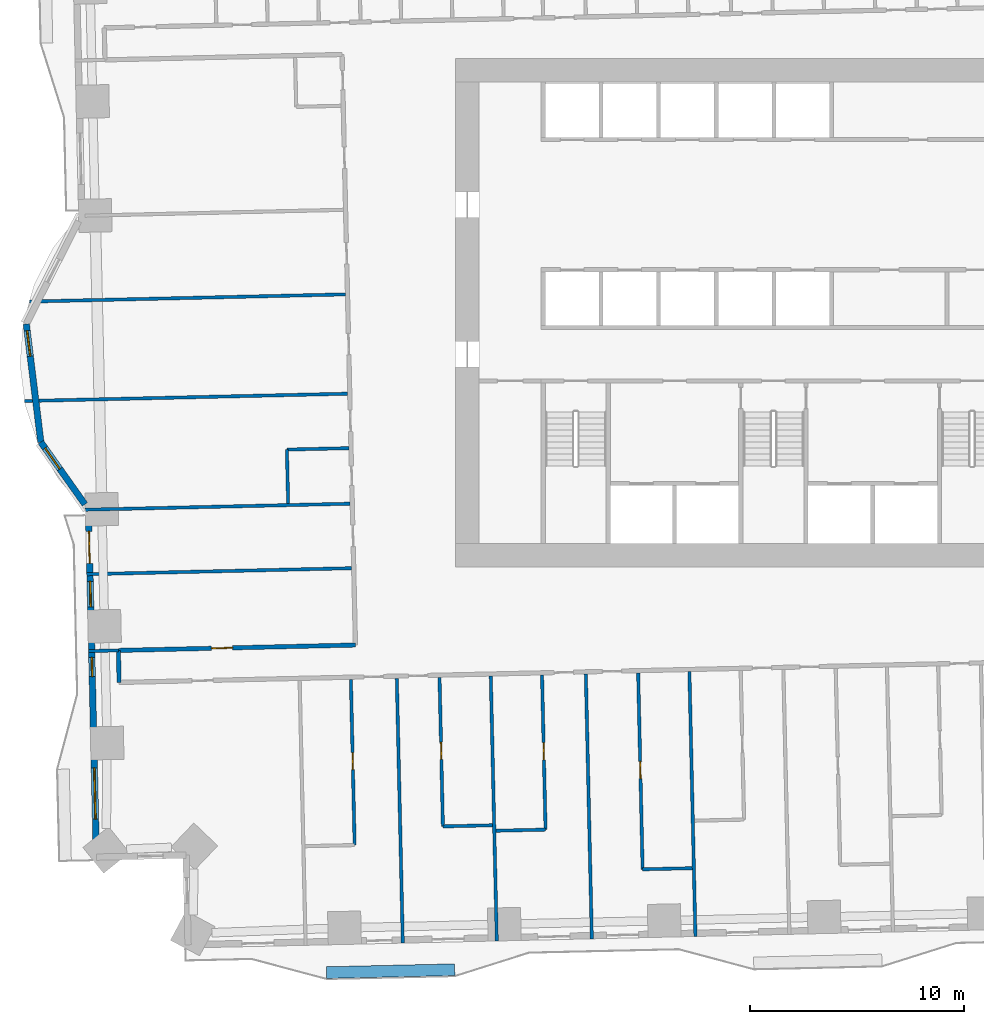
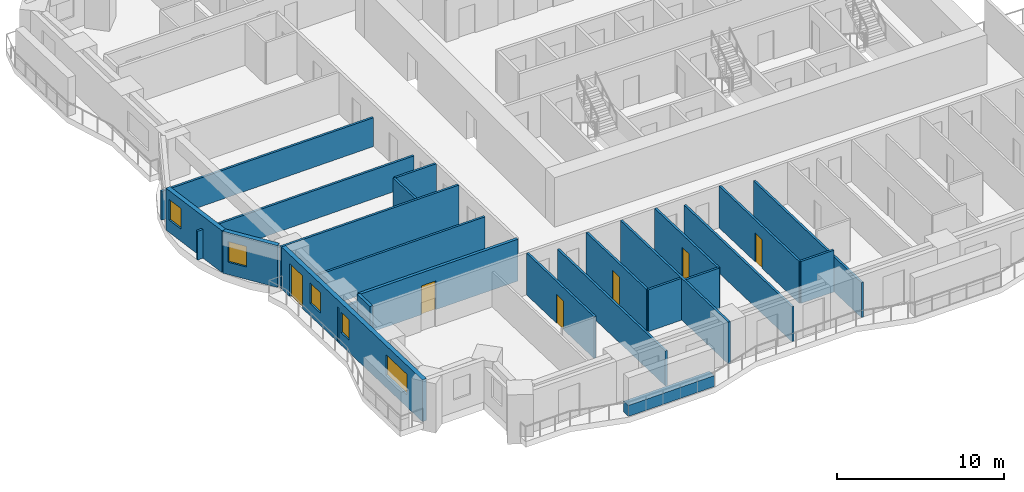
# One storey, part 5 of 16: 24 walls, 6 doors, 5 windows, 11 openings.
"""IFC4 building model written with IfcOpenShell, lengths in metres."""

from ifc_helpers import new_model, si_unit, direction, frame, frame_2d, origin, place, context, subcontext, project, spatial, rectangle, extrude, material, layer, layer_set, type_object, element, fill, save


model = new_model("IFC4")

# Units and contexts
model_context = context("Model", 3, precision=1e-05, world=origin(), true_north=direction((0.0, 1.0)))
body_context = subcontext(model_context, "Body", "Model", "MODEL_VIEW")
ifc_project = project(units=[si_unit("LENGTHUNIT", "METRE"), si_unit("AREAUNIT", "SQUARE_METRE"), si_unit("VOLUMEUNIT", "CUBIC_METRE"), si_unit("PLANEANGLEUNIT", "RADIAN"), si_unit("MASSUNIT", "GRAM", prefix="KILO")], contexts=[model_context])

# Site, building, storey
site_placement = place(None, origin())
site = spatial("IfcSite", under=ifc_project, at=site_placement, CompositionType="ELEMENT")
building_placement = place(site_placement, origin())
building = spatial("IfcBuilding", under=site, at=building_placement, Name="Mangrove Gate Tower", CompositionType="ELEMENT")
storey_placement = place(building_placement, frame((0.0, 0.0, 34.10009765625)))
storey = spatial("IfcBuildingStorey", under=building, at=storey_placement, Name="L07", CompositionType="ELEMENT", Elevation=34.10009765625)

# Wall
ifc_material_1 = material(Name="Gypsum board on steel stud, EI 60", Category="steel")
ifc_layer_1 = layer(ifc_material_1, 0.199951171875)
ifc_layer_set_1 = layer_set([ifc_layer_1], Name="Corridor wall EI 60")
wall_type_1 = type_object("IfcWallType", Name="Corridor wall EI 60", PredefinedType="PARTITIONING", material=ifc_layer_set_1)
wall_1_placement = place(storey_placement, frame((-30.652099609375, -17.31298828125, 0.0), z_axis=(0.0, 0.0, 1.0), x_axis=(-0.022632637625, 0.99974384905, 0.0)))
element("IfcWall", 1, at=wall_1_placement, inside=storey, type_object=wall_type_1, Name="WALL-L07-032", PredefinedType="PARTITIONING", context=body_context, shape_type="SweptSolid", body=[
    extrude(rectangle(XDim=1.49951171875, YDim=0.199951171875, at=frame_2d((0.749755859375, 0.0))), origin(), (0.0, 0.0, 1.0), 3.0498046875),
])

# Wall, opening, door
wall_2_placement = place(storey_placement, frame((-30.68603515625, -15.81396484375, 0.0), z_axis=(0.0, 0.0, 1.0), x_axis=(0.999742346277, 0.022698921993, 0.0)))
wall_2 = element("IfcWall", 2, at=wall_2_placement, inside=storey, type_object=wall_type_1, Name="WALL-L07-035", PredefinedType="PARTITIONING", context=body_context, shape_type="SweptSolid", body=[
    extrude(rectangle(XDim=11.099853515625, YDim=0.199951171875, at=frame_2d((5.5498046875, 0.0))), origin(), (0.0, 0.0, 1.0), 3.0498046875),
])
opening_1_placement = place(wall_2_placement, frame((4.35009765625, 0.0, 0.0)))
opening_1 = element("IfcOpeningElement", 3, at=opening_1_placement, cuts=wall_2, Name="Opening AD", PredefinedType="OPENING", context=body_context, shape_type="SweptSolid", body=[
    extrude(rectangle(XDim=1.0, YDim=2.10009765625, at=frame_2d((0.5, 1.050048828125))), frame((0.0, 0.10986328125, 0.0), z_axis=(0.0, -1.0, 0.0), x_axis=(1.0, 0.0, 0.0)), (0.0, 0.0, 1.0), 0.219970703125),
])
ifc_material_2 = material(Name="Timber door leaf", Category="wood")
door_type_1 = type_object("IfcDoorType", Name="Amenity door 1000", OperationType="SINGLE_SWING_LEFT", PredefinedType="DOOR", material=ifc_material_2)
door_1_placement = place(opening_1_placement, origin())
door_1 = element("IfcDoor", 4, at=door_1_placement, inside=storey, type_object=door_type_1, Name="DOOR-L07-KIT-c5b", OperationType="SINGLE_SWING_RIGHT", OverallHeight=2.10009765625, OverallWidth=1.0, PredefinedType="DOOR", context=body_context, shape_type="SweptSolid", body=[
    extrude(rectangle(XDim=1.0, YDim=2.10009765625, at=frame_2d((0.5, 1.050048828125))), frame((0.0, 0.02490234375, 0.0), z_axis=(0.0, -1.0, 0.0), x_axis=(1.0, 0.0, 0.0)), (0.0, 0.0, 1.0), 0.050048828125),
])
fill(opening_1, door_1)

# Wall, opening, window
ifc_material_3 = material(Name="Limestone", Category="masonry")
ifc_layer_2 = layer(ifc_material_3, 0.0400390625, Name="Limestone cladding")
ifc_material_4 = material(Name="Ventilated air gap")
ifc_layer_3 = layer(ifc_material_4, 0.0400390625, Name="Ventilated cavity")
ifc_material_5 = material(Name="Mineral wool insulation")
ifc_layer_4 = layer(ifc_material_5, 0.06005859375, Name="Insulation")
ifc_material_6 = material(Name="Breather membrane")
ifc_layer_5 = layer(ifc_material_6, 0.001953125, Name="Breather membrane")
ifc_material_7 = material(Name="Concrete C20/25 blockwork", Category="masonry")
ifc_layer_6 = layer(ifc_material_7, 0.14990234375, Name="Blockwork backing wall")
ifc_material_8 = material(Name="Gypsum plaster")
ifc_layer_7 = layer(ifc_material_8, 0.008056640625, Name="Internal plaster")
ifc_layer_set_2 = layer_set([ifc_layer_2, ifc_layer_3, ifc_layer_4, ifc_layer_5, ifc_layer_6, ifc_layer_7], Name="External wall 300 limestone cladding")
wall_type_2 = type_object("IfcWallType", Name="External wall 300 limestone cladding", PredefinedType="SOLIDWALL", material=ifc_layer_set_2)
wall_3_placement = place(storey_placement, frame((-34.99609375, -0.533935546875, 0.0), z_axis=(0.0, 0.0, 1.0), x_axis=(0.122206978992, -0.992504636909, 0.0)))
wall_3 = element("IfcWall", 5, at=wall_3_placement, inside=storey, type_object=wall_type_2, Name="WALL-L07-W9f2", PredefinedType="SOLIDWALL", context=body_context, shape_type="SweptSolid", body=[
    extrude(rectangle(XDim=5.57373046875, YDim=0.300048828125, at=frame_2d((2.786865234375, 0.0))), origin(), (0.0, 0.0, 1.0), 3.0498046875),
])
opening_2_placement = place(wall_3_placement, frame((0.31494140625, 0.0, 0.89990234375)))
opening_2 = element("IfcOpeningElement", 6, at=opening_2_placement, cuts=wall_3, Name="Opening W1", PredefinedType="OPENING", context=body_context, shape_type="SweptSolid", body=[
    extrude(rectangle(XDim=1.199951171875, YDim=1.5, at=frame_2d((0.60009765625, 0.75))), frame((0.0, 0.159912109375, 0.0), z_axis=(0.0, -1.0, 0.0), x_axis=(1.0, 0.0, 0.0)), (0.0, 0.0, 1.0), 0.320068359375),
])
ifc_material_9 = material(Name="Aluminium frame with double-glazed low-e glass", Category="aluminium")
window_type_1 = type_object("IfcWindowType", Name="Side lite 1200x1500", PartitioningType="SINGLE_PANEL", PredefinedType="WINDOW", material=ifc_material_9)
window_1_placement = place(opening_2_placement, origin())
window_1 = element("IfcWindow", 7, at=window_1_placement, inside=storey, type_object=window_type_1, Name="WIN-L07-W9f2", OverallHeight=1.5, OverallWidth=1.199951171875, PartitioningType="SINGLE_PANEL", PredefinedType="WINDOW", context=body_context, shape_type="SweptSolid", body=[
    extrude(rectangle(XDim=1.199951171875, YDim=1.5, at=frame_2d((0.60009765625, 0.75))), frame((0.0, 0.030029296875, 0.0), z_axis=(0.0, -1.0, 0.0), x_axis=(1.0, 0.0, 0.0)), (0.0, 0.0, 1.0), 0.06005859375),
])
fill(opening_2, window_1)

wall_4_placement = place(storey_placement, frame((-34.31494140625, -6.06591796875, 0.0), z_axis=(0.0, 0.0, 1.0), x_axis=(0.578062893695, -0.815992212544, 0.0)))
wall_4 = element("IfcWall", 8, at=wall_4_placement, inside=storey, type_object=wall_type_2, Name="WALL-L07-W9f3", PredefinedType="SOLIDWALL", context=body_context, shape_type="SweptSolid", body=[
    extrude(rectangle(XDim=3.56884765625, YDim=0.300048828125, at=frame_2d((1.784423828125, 0.0))), origin(), (0.0, 0.0, 1.0), 3.0498046875),
])
opening_3_placement = place(wall_4_placement, frame((0.337890625, 0.0, 0.89990234375)))
opening_3 = element("IfcOpeningElement", 9, at=opening_3_placement, cuts=wall_4, Name="Opening W1", PredefinedType="OPENING", context=body_context, shape_type="SweptSolid", body=[
    extrude(rectangle(XDim=1.199951171875, YDim=1.5, at=frame_2d((0.60009765625, 0.75))), frame((0.0, 0.159912109375, 0.0), z_axis=(0.0, -1.0, 0.0), x_axis=(1.0, 0.0, 0.0)), (0.0, 0.0, 1.0), 0.320068359375),
])
window_2_placement = place(opening_3_placement, origin())
window_2 = element("IfcWindow", 10, at=window_2_placement, inside=storey, type_object=window_type_1, Name="WIN-L07-W9f3", OverallHeight=1.5, OverallWidth=1.199951171875, PartitioningType="SINGLE_PANEL", PredefinedType="WINDOW", context=body_context, shape_type="SweptSolid", body=[
    extrude(rectangle(XDim=1.199951171875, YDim=1.5, at=frame_2d((0.60009765625, 0.75))), frame((0.0, 0.030029296875, 0.0), z_axis=(0.0, -1.0, 0.0), x_axis=(1.0, 0.0, 0.0)), (0.0, 0.0, 1.0), 0.06005859375),
])
fill(opening_3, window_2)

# Wall, openings, door, windows
wall_5_placement = place(storey_placement, frame((-32.0869140625, -9.1640625, 0.0), z_axis=(0.0, 0.0, 1.0), x_axis=(0.022651102902, -0.999743430855, 0.0)))
wall_5 = element("IfcWall", 11, at=wall_5_placement, inside=storey, type_object=wall_type_2, Name="WALL-L07-W10", PredefinedType="SOLIDWALL", context=body_context, shape_type="SweptSolid", body=[
    extrude(rectangle(XDim=16.3291015625, YDim=0.300048828125, at=frame_2d((8.16455078125, 0.0))), origin(), (0.0, 0.0, 1.0), 3.0498046875),
])
opening_4_placement = place(wall_5_placement, frame((1.0791015625, 0.0, 0.0)))
opening_4 = element("IfcOpeningElement", 12, at=opening_4_placement, cuts=wall_5, Name="Opening BD1", PredefinedType="OPENING", context=body_context, shape_type="SweptSolid", body=[
    extrude(rectangle(XDim=1.5, YDim=2.39990234375, at=frame_2d((0.75, 1.199951171875))), frame((0.0, 0.159912109375, 0.0), z_axis=(0.0, -1.0, 0.0), x_axis=(1.0, 0.0, 0.0)), (0.0, 0.0, 1.0), 0.320068359375),
])
opening_5_placement = place(wall_5_placement, frame((3.4169921875, 0.0, 0.89990234375)))
opening_5 = element("IfcOpeningElement", 13, at=opening_5_placement, cuts=wall_5, Name="Opening W1", PredefinedType="OPENING", context=body_context, shape_type="SweptSolid", body=[
    extrude(rectangle(XDim=1.199951171875, YDim=1.5, at=frame_2d((0.60009765625, 0.75))), frame((0.0, 0.159912109375, 0.0), z_axis=(0.0, -1.0, 0.0), x_axis=(1.0, 0.0, 0.0)), (0.0, 0.0, 1.0), 0.320068359375),
])
opening_6_placement = place(wall_5_placement, frame((6.97900390625, 0.0, 0.89990234375)))
opening_6 = element("IfcOpeningElement", 14, at=opening_6_placement, cuts=wall_5, Name="Opening W5", PredefinedType="OPENING", context=body_context, shape_type="SweptSolid", body=[
    extrude(rectangle(XDim=0.89990234375, YDim=1.5, at=frame_2d((0.449951171875, 0.75))), frame((0.0, 0.159912109375, 0.0), z_axis=(0.0, -1.0, 0.0), x_axis=(1.0, 0.0, 0.0)), (0.0, 0.0, 1.0), 0.320068359375),
])
opening_7_placement = place(wall_5_placement, frame((12.14990234375, 0.0, 0.89990234375)))
opening_7 = element("IfcOpeningElement", 15, at=opening_7_placement, cuts=wall_5, Name="Opening W2", PredefinedType="OPENING", context=body_context, shape_type="SweptSolid", body=[
    extrude(rectangle(XDim=2.39990234375, YDim=1.5, at=frame_2d((1.199951171875, 0.75))), frame((0.0, 0.159912109375, 0.0), z_axis=(0.0, -1.0, 0.0), x_axis=(1.0, 0.0, 0.0)), (0.0, 0.0, 1.0), 0.320068359375),
])
ifc_material_10 = material(Name="Aluminium frame with laminated clear glass", Category="aluminium")
door_type_2 = type_object("IfcDoorType", Name="Balcony sliding door 1500x2400", OperationType="SLIDING_TO_LEFT", PredefinedType="DOOR", material=ifc_material_10)
door_2_placement = place(opening_4_placement, origin())
door_2 = element("IfcDoor", 16, at=door_2_placement, inside=storey, type_object=door_type_2, Name="DOOR-L07-W10-1", OperationType="SLIDING_TO_LEFT", OverallHeight=2.39990234375, OverallWidth=1.5, PredefinedType="DOOR", context=body_context, shape_type="SweptSolid", body=[
    extrude(rectangle(XDim=1.5, YDim=2.39990234375, at=frame_2d((0.75, 1.199951171875))), frame((0.0, 0.02490234375, 0.0), z_axis=(0.0, -1.0, 0.0), x_axis=(1.0, 0.0, 0.0)), (0.0, 0.0, 1.0), 0.050048828125),
])
fill(opening_4, door_2)
ifc_material_11 = material(Name="Aluminium frame with double-glazed low-e glass", Category="aluminium")
window_type_2 = type_object("IfcWindowType", Name="Corner room window 2400x1500", PartitioningType="DOUBLE_PANEL_VERTICAL", PredefinedType="WINDOW", material=ifc_material_11)
window_3_placement = place(opening_7_placement, origin())
window_3 = element("IfcWindow", 17, at=window_3_placement, inside=storey, type_object=window_type_2, Name="WIN-L07-W10-4", OverallHeight=1.5, OverallWidth=2.39990234375, PartitioningType="DOUBLE_PANEL_VERTICAL", PredefinedType="WINDOW", context=body_context, shape_type="SweptSolid", body=[
    extrude(rectangle(XDim=2.39990234375, YDim=1.5, at=frame_2d((1.199951171875, 0.75))), frame((0.0, 0.030029296875, 0.0), z_axis=(0.0, -1.0, 0.0), x_axis=(1.0, 0.0, 0.0)), (0.0, 0.0, 1.0), 0.06005859375),
])
fill(opening_7, window_3)
ifc_material_12 = material(Name="Aluminium frame with double-glazed low-e glass", Category="aluminium")
window_type_3 = type_object("IfcWindowType", Name="Narrow window 900x1500", PartitioningType="SINGLE_PANEL", PredefinedType="WINDOW", material=ifc_material_12)
window_4_placement = place(opening_6_placement, origin())
window_4 = element("IfcWindow", 18, at=window_4_placement, inside=storey, type_object=window_type_3, Name="WIN-L07-W10-3", OverallHeight=1.5, OverallWidth=0.89990234375, PartitioningType="SINGLE_PANEL", PredefinedType="WINDOW", context=body_context, shape_type="SweptSolid", body=[
    extrude(rectangle(XDim=0.89990234375, YDim=1.5, at=frame_2d((0.449951171875, 0.75))), frame((0.0, 0.030029296875, 0.0), z_axis=(0.0, -1.0, 0.0), x_axis=(1.0, 0.0, 0.0)), (0.0, 0.0, 1.0), 0.06005859375),
])
fill(opening_6, window_4)
window_5_placement = place(opening_5_placement, origin())
window_5 = element("IfcWindow", 19, at=window_5_placement, inside=storey, type_object=window_type_1, Name="WIN-L07-W10-2", OverallHeight=1.5, OverallWidth=1.199951171875, PartitioningType="SINGLE_PANEL", PredefinedType="WINDOW", context=body_context, shape_type="SweptSolid", body=[
    extrude(rectangle(XDim=1.199951171875, YDim=1.5, at=frame_2d((0.60009765625, 0.75))), frame((0.0, 0.030029296875, 0.0), z_axis=(0.0, -1.0, 0.0), x_axis=(1.0, 0.0, 0.0)), (0.0, 0.0, 1.0), 0.06005859375),
])
fill(opening_5, window_5)

# Walls
ifc_material_13 = material(Name="Gypsum board on steel stud, EI 60", Category="steel")
ifc_layer_8 = layer(ifc_material_13, 0.14990234375)
ifc_layer_set_3 = layer_set([ifc_layer_8], Name="Party wall 150 EI 60")
wall_type_3 = type_object("IfcWallType", Name="Party wall 150 EI 60", PredefinedType="PARTITIONING", material=ifc_layer_set_3)
wall_6_placement = place(storey_placement, frame((-17.3720703125, -29.514892578125, 0.0), z_axis=(0.0, 0.0, 1.0), x_axis=(-0.022661475803, 0.999743195783, 0.0)))
element("IfcWall", 20, at=wall_6_placement, inside=storey, type_object=wall_type_3, Name="WALL-L07-002", PredefinedType="PARTITIONING", context=body_context, shape_type="SweptSolid", body=[
    extrude(rectangle(XDim=12.400146484375, YDim=0.14990234375, at=frame_2d((6.2001953125, 0.0))), origin(), (0.0, 0.0, 1.0), 2.5498046875),
])
wall_7_placement = place(storey_placement, frame((-12.972900390625, -29.4150390625, 0.0), z_axis=(0.0, 0.0, 1.0), x_axis=(-0.022661475803, 0.999743195783, 0.0)))
element("IfcWall", 21, at=wall_7_placement, inside=storey, type_object=wall_type_3, Name="WALL-L07-003", PredefinedType="PARTITIONING", context=body_context, shape_type="SweptSolid", body=[
    extrude(rectangle(XDim=12.400146484375, YDim=0.14990234375, at=frame_2d((6.2001953125, 0.0))), origin(), (0.0, 0.0, 1.0), 3.0498046875),
])
wall_8_placement = place(storey_placement, frame((-8.52392578125, -29.31396484375, 0.0), z_axis=(0.0, 0.0, 1.0), x_axis=(-0.022661475803, 0.999743195783, 0.0)))
element("IfcWall", 22, at=wall_8_placement, inside=storey, type_object=wall_type_3, Name="WALL-L07-004", PredefinedType="PARTITIONING", context=body_context, shape_type="SweptSolid", body=[
    extrude(rectangle(XDim=12.400146484375, YDim=0.14990234375, at=frame_2d((6.2001953125, 0.0))), origin(), (0.0, 0.0, 1.0), 2.5498046875),
])
wall_9_placement = place(storey_placement, frame((-3.675048828125, -29.2041015625, 0.0), z_axis=(0.0, 0.0, 1.0), x_axis=(-0.022739741597, 0.999741418644, 0.0)))
element("IfcWall", 23, at=wall_9_placement, inside=storey, type_object=wall_type_3, Name="WALL-L07-005", PredefinedType="PARTITIONING", context=body_context, shape_type="SweptSolid", body=[
    extrude(rectangle(XDim=12.400390625, YDim=0.14990234375, at=frame_2d((6.2001953125, 0.0))), origin(), (0.0, 0.0, 1.0), 2.5498046875),
])
wall_10_placement = place(storey_placement, frame((-6.14697265625, -26.05908203125, 0.0), z_axis=(0.0, 0.0, 1.0), x_axis=(0.999749744571, 0.022370700241, 0.0)))
element("IfcWall", 24, at=wall_10_placement, inside=storey, type_object=wall_type_3, Name="WALL-L07-011", PredefinedType="PARTITIONING", context=body_context, shape_type="SweptSolid", body=[
    extrude(rectangle(XDim=2.324462890625, YDim=0.14990234375, at=frame_2d((1.162109375, 0.0))), origin(), (0.0, 0.0, 1.0), 3.0498046875),
])

# Wall, opening, door
wall_11_placement = place(storey_placement, frame((-6.14697265625, -26.05908203125, 0.0), z_axis=(0.0, 0.0, 1.0), x_axis=(-0.022717185456, 0.999741931443, 0.0)))
wall_11 = element("IfcWall", 25, at=wall_11_placement, inside=storey, type_object=wall_type_3, Name="WALL-L07-012", PredefinedType="PARTITIONING", context=body_context, shape_type="SweptSolid", body=[
    extrude(rectangle(XDim=9.199462890625, YDim=0.14990234375, at=frame_2d((4.599609375, 0.0))), origin(), (0.0, 0.0, 1.0), 3.0498046875),
])
opening_8_placement = place(wall_11_placement, frame((4.25, 0.0, 0.0)))
opening_8 = element("IfcOpeningElement", 26, at=opening_8_placement, cuts=wall_11, Name="Opening ED", PredefinedType="OPENING", context=body_context, shape_type="SweptSolid", body=[
    extrude(rectangle(XDim=0.800048828125, YDim=2.10009765625, at=frame_2d((0.39990234375, 1.050048828125))), frame((0.0, 0.0849609375, 0.0), z_axis=(0.0, -1.0, 0.0), x_axis=(1.0, 0.0, 0.0)), (0.0, 0.0, 1.0), 0.169921875),
])
ifc_material_14 = material(Name="Timber door leaf", Category="wood")
door_type_3 = type_object("IfcDoorType", Name="En-suite door 800", OperationType="SINGLE_SWING_LEFT", PredefinedType="DOOR", material=ifc_material_14)
door_3_placement = place(opening_8_placement, origin())
door_3 = element("IfcDoor", 27, at=door_3_placement, inside=storey, type_object=door_type_3, Name="DOOR-L07-ENS-c104", OperationType="SINGLE_SWING_RIGHT", OverallHeight=2.10009765625, OverallWidth=0.800048828125, PredefinedType="DOOR", context=body_context, shape_type="SweptSolid", body=[
    extrude(rectangle(XDim=0.800048828125, YDim=2.10009765625, at=frame_2d((0.39990234375, 1.050048828125))), frame((0.0, 0.02490234375, 0.0), z_axis=(0.0, -1.0, 0.0), x_axis=(1.0, 0.0, 0.0)), (0.0, 0.0, 1.0), 0.050048828125),
])
fill(opening_8, door_3)

wall_12_placement = place(storey_placement, frame((-19.626953125, -24.925048828125, 0.0), z_axis=(0.0, 0.0, 1.0), x_axis=(-0.022683528451, 0.999742695666, 0.0)))
wall_12 = element("IfcWall", 28, at=wall_12_placement, inside=storey, type_object=wall_type_3, Name="WALL-L07-018", PredefinedType="PARTITIONING", context=body_context, shape_type="SweptSolid", body=[
    extrude(rectangle(XDim=7.760009765625, YDim=0.14990234375, at=frame_2d((3.8798828125, 0.0))), origin(), (0.0, 0.0, 1.0), 3.0498046875),
])
opening_9_placement = place(wall_12_placement, frame((3.530029296875, 0.0, 0.0)))
opening_9 = element("IfcOpeningElement", 29, at=opening_9_placement, cuts=wall_12, Name="Opening ED", PredefinedType="OPENING", context=body_context, shape_type="SweptSolid", body=[
    extrude(rectangle(XDim=0.800048828125, YDim=2.10009765625, at=frame_2d((0.39990234375, 1.050048828125))), frame((0.0, 0.0849609375, 0.0), z_axis=(0.0, -1.0, 0.0), x_axis=(1.0, 0.0, 0.0)), (0.0, 0.0, 1.0), 0.169921875),
])
door_4_placement = place(opening_9_placement, origin())
door_4 = element("IfcDoor", 30, at=door_4_placement, inside=storey, type_object=door_type_3, Name="DOOR-L07-ENS-c101", OperationType="SINGLE_SWING_LEFT", OverallHeight=2.10009765625, OverallWidth=0.800048828125, PredefinedType="DOOR", context=body_context, shape_type="SweptSolid", body=[
    extrude(rectangle(XDim=0.800048828125, YDim=2.10009765625, at=frame_2d((0.39990234375, 1.050048828125))), frame((0.0, 0.02490234375, 0.0), z_axis=(0.0, -1.0, 0.0), x_axis=(1.0, 0.0, 0.0)), (0.0, 0.0, 1.0), 0.050048828125),
])
fill(opening_9, door_4)

# Wall
wall_13_placement = place(storey_placement, frame((-13.014892578125, -24.2548828125, 0.0), z_axis=(0.0, 0.0, 1.0), x_axis=(0.999740260747, 0.02279059109, 0.0)))
element("IfcWall", 31, at=wall_13_placement, inside=storey, type_object=wall_type_3, Name="WALL-L07-019", PredefinedType="PARTITIONING", context=body_context, shape_type="SweptSolid", body=[
    extrude(rectangle(XDim=2.324462890625, YDim=0.14990234375, at=frame_2d((1.162109375, 0.0))), origin(), (0.0, 0.0, 1.0), 3.0498046875),
])

# Wall, opening, door
wall_14_placement = place(storey_placement, frame((-10.69091796875, -24.201904296875, 0.0), z_axis=(0.0, 0.0, 1.0), x_axis=(-0.022661655024, 0.999743191721, 0.0)))
wall_14 = element("IfcWall", 32, at=wall_14_placement, inside=storey, type_object=wall_type_3, Name="WALL-L07-020", PredefinedType="PARTITIONING", context=body_context, shape_type="SweptSolid", body=[
    extrude(rectangle(XDim=7.23974609375, YDim=0.14990234375, at=frame_2d((3.619873046875, 0.0))), origin(), (0.0, 0.0, 1.0), 3.0498046875),
])
opening_10_placement = place(wall_14_placement, frame((3.27001953125, 0.0, 0.0)))
opening_10 = element("IfcOpeningElement", 33, at=opening_10_placement, cuts=wall_14, Name="Opening ED", PredefinedType="OPENING", context=body_context, shape_type="SweptSolid", body=[
    extrude(rectangle(XDim=0.800048828125, YDim=2.10009765625, at=frame_2d((0.39990234375, 1.050048828125))), frame((0.0, 0.0849609375, 0.0), z_axis=(0.0, -1.0, 0.0), x_axis=(1.0, 0.0, 0.0)), (0.0, 0.0, 1.0), 0.169921875),
])
door_5_placement = place(opening_10_placement, origin())
door_5 = element("IfcDoor", 34, at=door_5_placement, inside=storey, type_object=door_type_3, Name="DOOR-L07-ENS-c103", OperationType="SINGLE_SWING_LEFT", OverallHeight=2.10009765625, OverallWidth=0.800048828125, PredefinedType="DOOR", context=body_context, shape_type="SweptSolid", body=[
    extrude(rectangle(XDim=0.800048828125, YDim=2.10009765625, at=frame_2d((0.39990234375, 1.050048828125))), frame((0.0, 0.02490234375, 0.0), z_axis=(0.0, -1.0, 0.0), x_axis=(1.0, 0.0, 0.0)), (0.0, 0.0, 1.0), 0.050048828125),
])
fill(opening_10, door_5)

# Wall
wall_15_placement = place(storey_placement, frame((-15.4951171875, -24.051025390625, 0.0), z_axis=(0.0, 0.0, 1.0), x_axis=(0.99974031529, 0.022788198363, 0.0)))
element("IfcWall", 35, at=wall_15_placement, inside=storey, type_object=wall_type_3, Name="WALL-L07-021", PredefinedType="PARTITIONING", context=body_context, shape_type="SweptSolid", body=[
    extrude(rectangle(XDim=2.32470703125, YDim=0.14990234375, at=frame_2d((1.162353515625, 0.0))), origin(), (0.0, 0.0, 1.0), 3.0498046875),
])

# Wall, opening, door
wall_16_placement = place(storey_placement, frame((-15.4951171875, -24.051025390625, 0.0), z_axis=(0.0, 0.0, 1.0), x_axis=(-0.022770667039, 0.999740714747, 0.0)))
wall_16 = element("IfcWall", 36, at=wall_16_placement, inside=storey, type_object=wall_type_3, Name="WALL-L07-022", PredefinedType="PARTITIONING", context=body_context, shape_type="SweptSolid", body=[
    extrude(rectangle(XDim=6.979736328125, YDim=0.14990234375, at=frame_2d((3.48974609375, 0.0))), origin(), (0.0, 0.0, 1.0), 3.0498046875),
])
opening_11_placement = place(wall_16_placement, frame((3.139892578125, 0.0, 0.0)))
opening_11 = element("IfcOpeningElement", 37, at=opening_11_placement, cuts=wall_16, Name="Opening ED", PredefinedType="OPENING", context=body_context, shape_type="SweptSolid", body=[
    extrude(rectangle(XDim=0.800048828125, YDim=2.10009765625, at=frame_2d((0.39990234375, 1.050048828125))), frame((0.0, 0.0849609375, 0.0), z_axis=(0.0, -1.0, 0.0), x_axis=(1.0, 0.0, 0.0)), (0.0, 0.0, 1.0), 0.169921875),
])
door_6_placement = place(opening_11_placement, origin())
door_6 = element("IfcDoor", 38, at=door_6_placement, inside=storey, type_object=door_type_3, Name="DOOR-L07-ENS-c102", OperationType="SINGLE_SWING_RIGHT", OverallHeight=2.10009765625, OverallWidth=0.800048828125, PredefinedType="DOOR", context=body_context, shape_type="SweptSolid", body=[
    extrude(rectangle(XDim=0.800048828125, YDim=2.10009765625, at=frame_2d((0.39990234375, 1.050048828125))), frame((0.0, 0.02490234375, 0.0), z_axis=(0.0, -1.0, 0.0), x_axis=(1.0, 0.0, 0.0)), (0.0, 0.0, 1.0), 0.050048828125),
])
fill(opening_11, door_6)

# Walls
wall_17_placement = place(storey_placement, frame((-32.0859375, -15.844970703125, 0.0), z_axis=(0.0, 0.0, 1.0), x_axis=(0.999740667531, 0.022772739949, 0.0)))
element("IfcWall", 39, at=wall_17_placement, inside=storey, type_object=wall_type_3, Name="WALL-L07-034", PredefinedType="PARTITIONING", context=body_context, shape_type="SweptSolid", body=[
    extrude(rectangle(XDim=1.404296875, YDim=0.14990234375, at=frame_2d((0.7021484375, 0.0))), origin(), (0.0, 0.0, 1.0), 2.5498046875),
])
wall_18_placement = place(storey_placement, frame((-32.1669921875, -12.24609375, 0.0), z_axis=(0.0, 0.0, 1.0), x_axis=(0.999743155335, 0.022663260168, 0.0)))
element("IfcWall", 40, at=wall_18_placement, inside=storey, type_object=wall_type_3, Name="WALL-L07-040", PredefinedType="PARTITIONING", context=body_context, shape_type="SweptSolid", body=[
    extrude(rectangle(XDim=12.399169921875, YDim=0.14990234375, at=frame_2d((6.19970703125, 0.0))), origin(), (0.0, 0.0, 1.0), 2.5498046875),
])
wall_19_placement = place(storey_placement, frame((-32.236083984375, -9.22705078125, 0.0), z_axis=(0.0, 0.0, 1.0), x_axis=(0.999743195783, 0.022661475803, 0.0)))
element("IfcWall", 41, at=wall_19_placement, inside=storey, type_object=wall_type_3, Name="WALL-L07-041", PredefinedType="PARTITIONING", context=body_context, shape_type="SweptSolid", body=[
    extrude(rectangle(XDim=12.400146484375, YDim=0.14990234375, at=frame_2d((6.2001953125, 0.0))), origin(), (0.0, 0.0, 1.0), 3.0498046875),
])
wall_20_placement = place(storey_placement, frame((-22.739990234375, -8.930908203125, 0.0), z_axis=(0.0, 0.0, 1.0), x_axis=(-0.023015762656, 0.999735102249, 0.0)))
element("IfcWall", 42, at=wall_20_placement, inside=storey, type_object=wall_type_3, Name="WALL-L07-042", PredefinedType="PARTITIONING", context=body_context, shape_type="SweptSolid", body=[
    extrude(rectangle(XDim=2.524658203125, YDim=0.14990234375, at=frame_2d((1.26220703125, 0.0))), origin(), (0.0, 0.0, 1.0), 3.0498046875),
])
wall_21_placement = place(storey_placement, frame((-22.797119140625, -6.412109375, 0.0), z_axis=(0.0, 0.0, 1.0), x_axis=(0.999739701447, 0.022815112345, 0.0)))
element("IfcWall", 43, at=wall_21_placement, inside=storey, type_object=wall_type_3, Name="WALL-L07-043", PredefinedType="PARTITIONING", context=body_context, shape_type="SweptSolid", body=[
    extrude(rectangle(XDim=2.89990234375, YDim=0.14990234375, at=frame_2d((1.449951171875, 0.0))), origin(), (0.0, 0.0, 1.0), 3.0498046875),
])
wall_22_placement = place(storey_placement, frame((-35.0791015625, -4.139892578125, 0.0), z_axis=(0.0, 0.0, 1.0), x_axis=(0.999743233457, 0.022659813699, 0.0)))
element("IfcWall", 44, at=wall_22_placement, inside=storey, type_object=wall_type_3, Name="WALL-L07-044", PredefinedType="PARTITIONING", context=body_context, shape_type="SweptSolid", body=[
    extrude(rectangle(XDim=15.126953125, YDim=0.14990234375, at=frame_2d((7.5634765625, 0.0))), origin(), (0.0, 0.0, 1.0), 2.099853515625),
])
wall_23_placement = place(storey_placement, frame((-34.85205078125, 0.51611328125, 0.0), z_axis=(0.0, 0.0, 1.0), x_axis=(0.999742142166, 0.022707909997, 0.0)))
element("IfcWall", 45, at=wall_23_placement, inside=storey, type_object=wall_type_3, Name="WALL-L07-045", PredefinedType="PARTITIONING", context=body_context, shape_type="SweptSolid", body=[
    extrude(rectangle(XDim=14.7939453125, YDim=0.14990234375, at=frame_2d((7.39697265625, 0.0))), origin(), (0.0, 0.0, 1.0), 2.099853515625),
])
ifc_material_15 = material(Name="Concrete C32/40", Category="concrete")
ifc_layer_9 = layer(ifc_material_15, 0.199951171875, Name="Planter trough wall")
ifc_material_16 = material(Name="Bituminous waterproofing membrane")
ifc_layer_10 = layer(ifc_material_16, 0.0048828125, Name="Waterproofing")
ifc_material_17 = material(Name="Drainage board and gravel")
ifc_layer_11 = layer(ifc_material_17, 0.044921875, Name="Drainage layer")
ifc_material_18 = material(Name="Planting soil")
ifc_layer_12 = layer(ifc_material_18, 0.300048828125, Name="Growing medium")
ifc_layer_set_4 = layer_set([ifc_layer_9, ifc_layer_10, ifc_layer_11, ifc_layer_12], Name="Planter wall 550 C32/40")
wall_type_4 = type_object("IfcWallType", Name="Planter wall 550 C32/40", PredefinedType="USERDEFINED", material=ifc_layer_set_4)
wall_24_placement = place(storey_placement, frame((-20.94189453125, -30.89599609375, 0.0), z_axis=(0.0, 0.0, 1.0), x_axis=(0.999743157205, 0.022663177671, 0.0)))
element("IfcWall", 46, at=wall_24_placement, inside=storey, type_object=wall_type_4, Name="PLANTER L07 S0.1", ObjectType="PLANTER", PredefinedType="USERDEFINED", context=body_context, shape_type="SweptSolid", body=[
    extrude(rectangle(XDim=6.000244140625, YDim=0.550048828125, at=frame_2d((3.0, 0.0))), origin(), (0.0, 0.0, 1.0), 0.7998046875),
])

save(model, "model.ifc")
